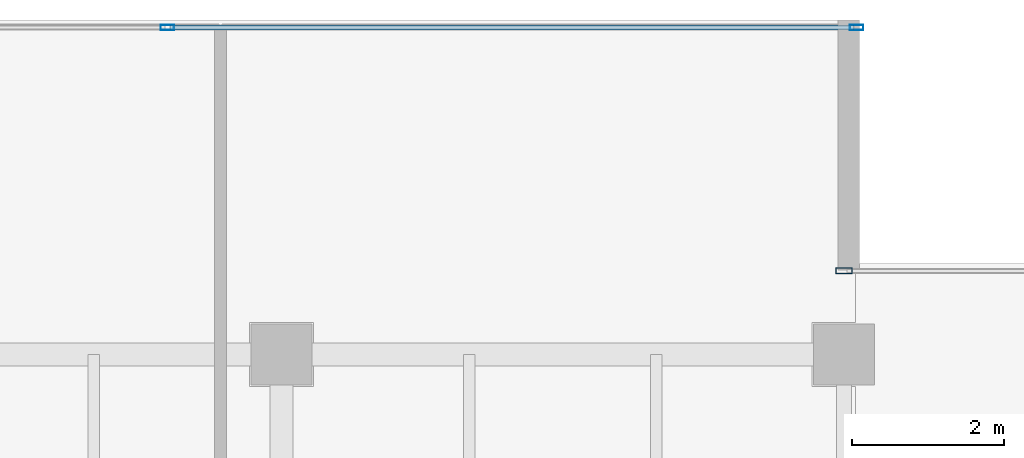
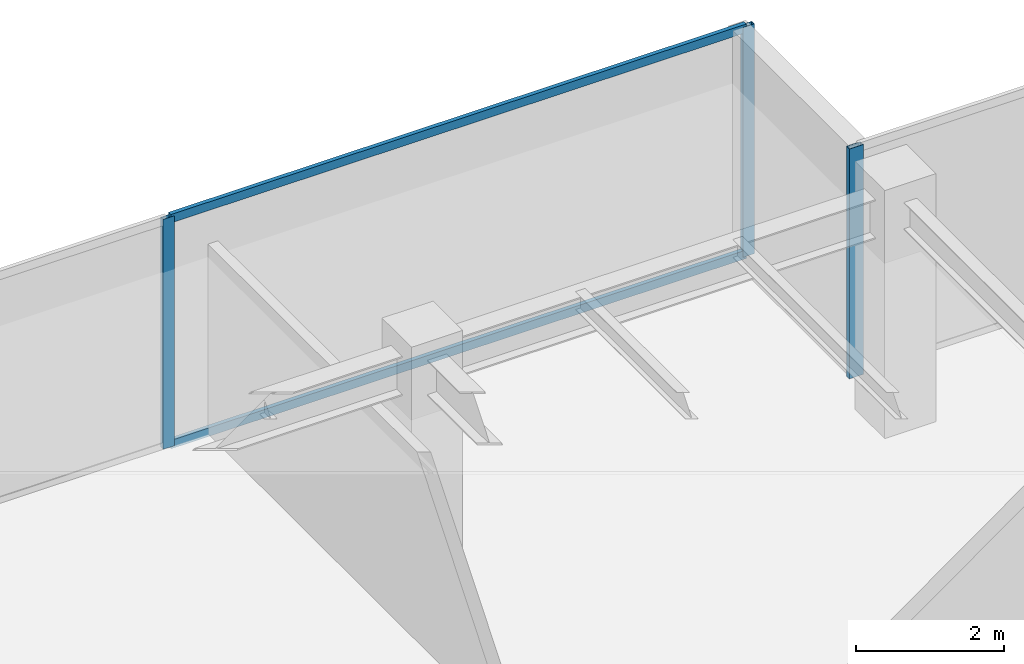
# One storey, part 21 of 35: 5 members, 2 elements without a shape of their own.
"""IFC4 building model written with IfcOpenShell, lengths in metres."""

from ifc_helpers import new_model, si_unit, direction, frame, origin, origin_2d, place, context, subcontext, project, spatial, hollow_rectangle, extrude, source, transform, mapped, material, layer, layer_set, material_profile, profile_set, type_object, type_shapes, element, aggregate, save


model = new_model("IFC4")

# Units and contexts
model_context = context("Model", 3, precision=1e-05, world=origin(), true_north=direction((0.0, 1.0)))
body_context = subcontext(model_context, "Body", "Model", "MODEL_VIEW")
ifc_project = project(units=[si_unit("LENGTHUNIT", "METRE"), si_unit("AREAUNIT", "SQUARE_METRE"), si_unit("VOLUMEUNIT", "CUBIC_METRE"), si_unit("PLANEANGLEUNIT", "RADIAN"), si_unit("MASSUNIT", "GRAM", prefix="KILO")], contexts=[model_context])

# Site, building, storey
site_placement = place(None, origin())
site = spatial("IfcSite", under=ifc_project, at=site_placement, CompositionType="ELEMENT")
building_placement = place(site_placement, origin())
building = spatial("IfcBuilding", under=site, at=building_placement, Name="Haelvirn Gate Laboratories", CompositionType="ELEMENT")
storey_placement = place(building_placement, frame((0.0, 0.0, 234.199951171875)))
storey = spatial("IfcBuildingStorey", under=building, at=storey_placement, Name="L56", CompositionType="ELEMENT", Elevation=234.199951171875)

# Curtain wall, members
ifc_material_1 = material(Name="Anodised bronze unitised aluminium & triple low-E glass", Category="aluminium")
ifc_layer_1 = layer(ifc_material_1, 0.176025390625, Name="CW-SYS-4")
ifc_layer_set_1 = layer_set([ifc_layer_1], Name="Anodised bronze unitised aluminium & triple low-E glass")
curtain_wall_type_1 = type_object("IfcCurtainWallType", Name="CW-SYS-4", PredefinedType="NOTDEFINED", material=ifc_layer_set_1)
curtain_wall_1_placement = place(storey_placement, origin())
curtain_wall_1 = element("IfcCurtainWall", 1, at=curtain_wall_1_placement, inside=storey, type_object=curtain_wall_type_1, Name="L56 Unitised Curtain Wall CW-L56-P0-E10-1", PredefinedType="NOTDEFINED")
ifc_material_2 = material(Name="Extruded aluminium 6063-T6 (anodised bronze)", Category="aluminium")
ifc_material_profile_1 = material_profile(ifc_material_2, hollow_rectangle(XDim=0.06494140625, YDim=0.139892578125, WallThickness=0.00390625, at=origin_2d()), Name="CWT-140x65x4")
ifc_profile_set_1 = profile_set([ifc_material_profile_1], Name="Extruded aluminium 6063-T6 (anodised bronze)")
member_type_1 = type_object("IfcMemberType", Name="CWT-T140", PredefinedType="USERDEFINED", material=ifc_profile_set_1)
shared_shape_1 = source(origin(), body_context, "Body", "SweptSolid", [
    extrude(hollow_rectangle(XDim=0.06494140625, YDim=0.139892578125, WallThickness=0.00390625, at=origin_2d()), origin(), (0.0, 0.0, 1.0), 8.9951171875),
])
type_shapes(member_type_1, [shared_shape_1])
member_1_placement = place(storey_placement, frame((58.534912109375, 45.89990234375, 0.032470703125), z_axis=(1.0, 0.0, 0.0), x_axis=(0.0, 1.0, 0.0)))
member_1 = element("IfcMember", 2, at=member_1_placement, type_object=member_type_1, Name="CW4 transom 2.1", ObjectType="TRANSOM", PredefinedType="USERDEFINED", context=body_context, shape_type="MappedRepresentation", body=[
    mapped(shared_shape_1, transform((0.0, 0.0, 0.0), scale=1.0)),
])
member_2_placement = place(storey_placement, frame((58.534912109375, 45.89990234375, 3.767578125), z_axis=(1.0, 0.0, 0.0), x_axis=(0.0, 1.0, 0.0)))
member_2 = element("IfcMember", 3, at=member_2_placement, type_object=member_type_1, Name="CW4 transom 2.2", ObjectType="TRANSOM", PredefinedType="USERDEFINED", context=body_context, shape_type="MappedRepresentation", body=[
    mapped(shared_shape_1, transform((0.0, 0.0, 0.0), scale=1.0)),
])
ifc_material_profile_2 = material_profile(ifc_material_2, hollow_rectangle(XDim=0.070068359375, YDim=0.179931640625, WallThickness=0.0048828125, at=origin_2d()), Name="CWM-180x70x5")
ifc_profile_set_2 = profile_set([ifc_material_profile_2], Name="Extruded aluminium 6063-T6 (anodised bronze)")
member_type_2 = type_object("IfcMemberType", Name="CWM-T180", PredefinedType="MULLION", material=ifc_profile_set_2)
shared_shape_2 = source(origin(), body_context, "Body", "SweptSolid", [
    extrude(hollow_rectangle(XDim=0.070068359375, YDim=0.179931640625, WallThickness=0.0048828125, at=origin_2d()), origin(), (0.0, 0.0, 1.0), 3.800048828125),
])
type_shapes(member_type_2, [shared_shape_2])
member_3_placement = place(storey_placement, frame((58.5, 45.89990234375, 0.0), z_axis=(0.0, 0.0, 1.0), x_axis=(0.0, 1.0, 0.0)))
member_3 = element("IfcMember", 4, at=member_3_placement, type_object=member_type_2, Name="CW4 mullion 2", PredefinedType="MULLION", context=body_context, shape_type="MappedRepresentation", body=[
    mapped(shared_shape_2, transform((0.0, 0.0, 0.0), scale=1.0)),
])
member_4_placement = place(storey_placement, frame((67.56494140625, 45.89990234375, 0.0), z_axis=(0.0, 0.0, 1.0), x_axis=(0.0, 1.0, 0.0)))
member_4 = element("IfcMember", 5, at=member_4_placement, type_object=member_type_2, Name="CW4 mullion 3", PredefinedType="MULLION", context=body_context, shape_type="MappedRepresentation", body=[
    mapped(shared_shape_2, transform((0.0, 0.0, 0.0), scale=1.0)),
])
aggregate(curtain_wall_1, [member_3, member_4, member_1, member_2])

# Curtain wall, member
ifc_layer_2 = layer(ifc_material_1, 0.181884765625, Name="CW-SYS-5")
ifc_layer_set_2 = layer_set([ifc_layer_2], Name="Anodised bronze unitised aluminium & triple low-E glass")
curtain_wall_type_2 = type_object("IfcCurtainWallType", Name="CW-SYS-5", PredefinedType="NOTDEFINED", material=ifc_layer_set_2)
curtain_wall_2_placement = place(storey_placement, origin())
curtain_wall_2 = element("IfcCurtainWall", 6, at=curtain_wall_2_placement, inside=storey, type_object=curtain_wall_type_2, Name="L56 Unitised Curtain Wall CW-L56-P0-E08-1", PredefinedType="NOTDEFINED")
ifc_material_profile_3 = material_profile(ifc_material_2, hollow_rectangle(XDim=0.080078125, YDim=0.219970703125, WallThickness=0.006103515625, at=origin_2d()), Name="CWM-220x80x6")
ifc_profile_set_3 = profile_set([ifc_material_profile_3], Name="Extruded aluminium 6063-T6 (anodised bronze)")
member_type_3 = type_object("IfcMemberType", Name="CWM-T220", PredefinedType="MULLION", material=ifc_profile_set_3)
shared_shape_3 = source(origin(), body_context, "Body", "SweptSolid", [
    extrude(hollow_rectangle(XDim=0.080078125, YDim=0.219970703125, WallThickness=0.006103515625, at=origin_2d()), origin(), (0.0, 0.0, 1.0), 3.800048828125),
])
type_shapes(member_type_3, [shared_shape_3])
member_5_placement = place(storey_placement, frame((67.39990234375, 42.699951171875, 0.0), z_axis=(0.0, 0.0, 1.0), x_axis=(0.0, 1.0, 0.0)))
member_5 = element("IfcMember", 7, at=member_5_placement, type_object=member_type_3, Name="CW5 mullion 1", PredefinedType="MULLION", context=body_context, shape_type="MappedRepresentation", body=[
    mapped(shared_shape_3, transform((0.0, 0.0, 0.0), scale=1.0)),
])
aggregate(curtain_wall_2, [member_5])

save(model, "model.ifc")
